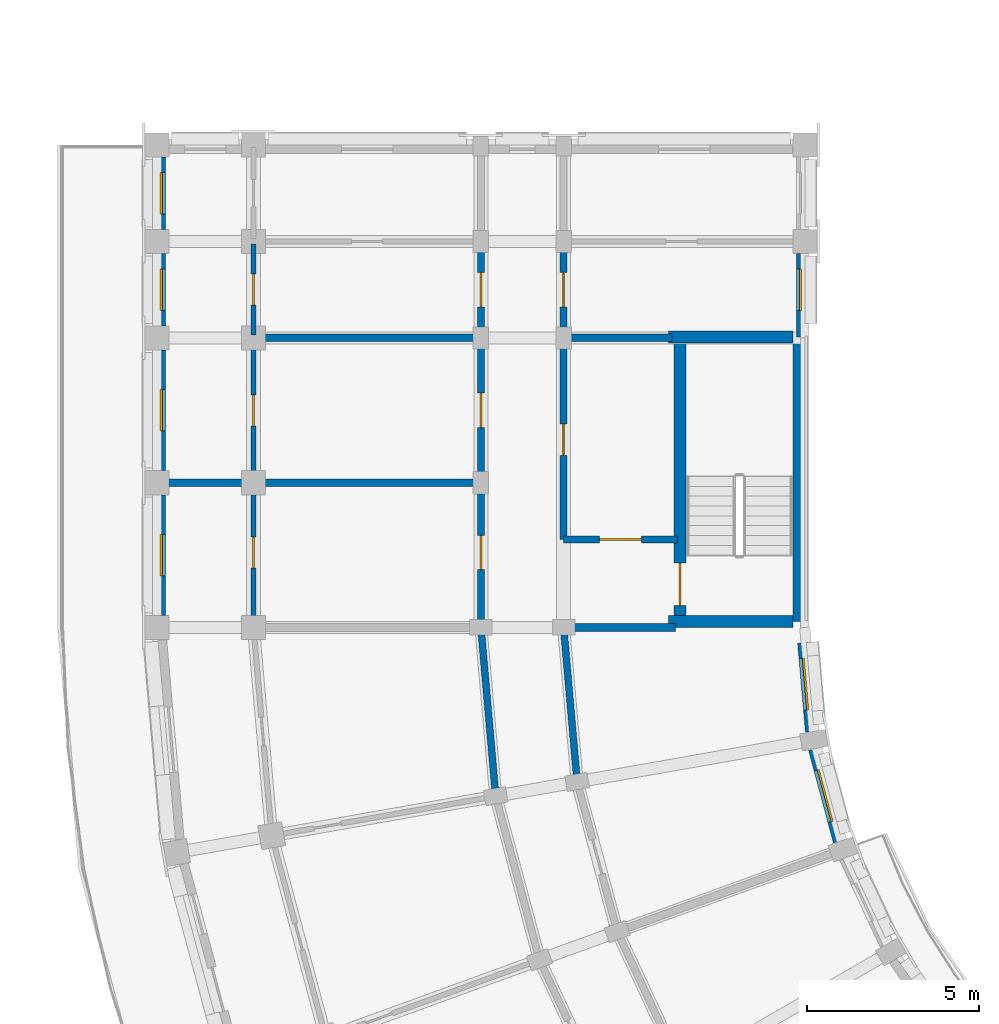
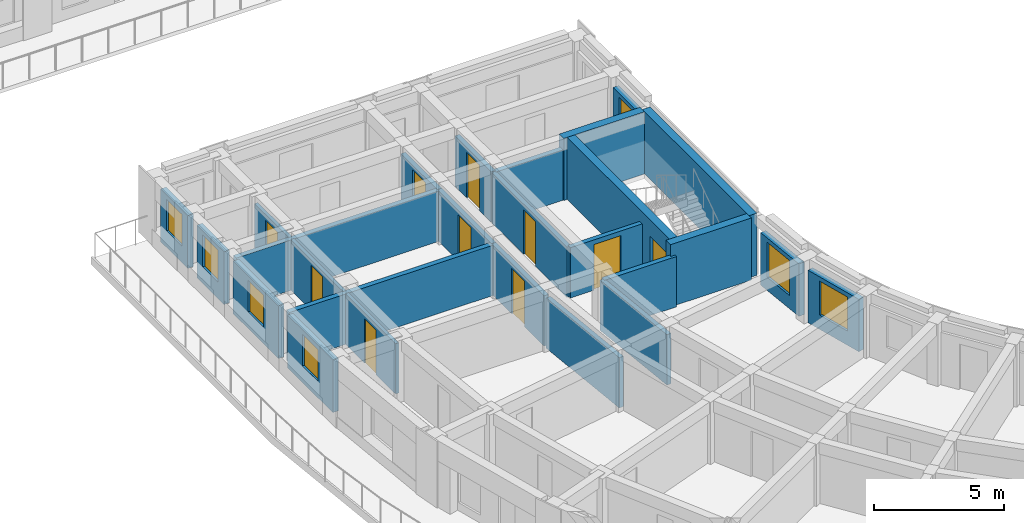
# One storey, part 20 of 54: 26 walls, 10 doors, 7 windows, 17 openings.
"""IFC4 building model written with IfcOpenShell, lengths in metres."""

from ifc_helpers import new_model, si_unit, direction, frame, frame_2d, origin, place, context, subcontext, project, spatial, rectangle, extrude, material, layer, layer_set, type_object, element, fill, save


model = new_model("IFC4")

# Units and contexts
model_context = context("Model", 3, precision=1e-05, world=origin(), true_north=direction((0.0, 1.0)))
body_context = subcontext(model_context, "Body", "Model", "MODEL_VIEW")
ifc_project = project(units=[si_unit("LENGTHUNIT", "METRE"), si_unit("AREAUNIT", "SQUARE_METRE"), si_unit("VOLUMEUNIT", "CUBIC_METRE"), si_unit("PLANEANGLEUNIT", "RADIAN"), si_unit("MASSUNIT", "GRAM", prefix="KILO")], contexts=[model_context])

# Site, building, storey
site_placement = place(None, origin())
site = spatial("IfcSite", under=ifc_project, at=site_placement, CompositionType="ELEMENT")
building_placement = place(site_placement, origin())
building = spatial("IfcBuilding", under=site, at=building_placement, Name="Kiranvali Square Residences", CompositionType="ELEMENT")
storey_placement = place(building_placement, frame((0.0, 0.0, 27.60009765625)))
storey = spatial("IfcBuildingStorey", under=building, at=storey_placement, Name="L08", CompositionType="ELEMENT", Elevation=27.60009765625)

# Wall, opening, door
ifc_material_1 = material(Name="Autoclaved aerated concrete blockwork masonry", Category="masonry")
ifc_layer_1 = layer(ifc_material_1, 0.199951171875)
ifc_layer_set_1 = layer_set([ifc_layer_1], Name="Autoclaved aerated concrete blockwork masonry")
wall_type_1 = type_object("IfcWallType", Name="WL-COR-200", PredefinedType="STANDARD", material=ifc_layer_set_1)
wall_1_placement = place(storey_placement, frame((25.699951171875, 50.75, 0.0), z_axis=(0.0, 0.0, 1.0), x_axis=(-1.0, 0.0, 0.0)))
wall_1 = element("IfcWall", 1, at=wall_1_placement, inside=storey, type_object=wall_type_1, Name="L08 architectural wall WL-L08-C-S3-V", PredefinedType="STANDARD", context=body_context, shape_type="SweptSolid", body=[
    extrude(rectangle(XDim=3.300048828125, YDim=0.199951171875, at=frame_2d((1.64990234375, 0.0))), origin(), (0.0, 0.0, 1.0), 2.371826171875),
])
opening_1_placement = place(wall_1_placement, frame((1.0400390625, 0.0, 0.0)))
opening_1 = element("IfcOpeningElement", 2, at=opening_1_placement, cuts=wall_1, Name="Opening FD-COR-60", PredefinedType="OPENING", context=body_context, shape_type="SweptSolid", body=[
    extrude(rectangle(XDim=1.219970703125, YDim=2.14990234375, at=frame_2d((0.60986328125, 1.074951171875))), frame((0.0, 0.10986328125, 0.0), z_axis=(0.0, -1.0, 0.0), x_axis=(1.0, 0.0, 0.0)), (0.0, 0.0, 1.0), 0.219970703125),
])
ifc_material_2 = material(Name="Fire-rated acoustic hardwood and mineral-core door assembly", Category="wood")
door_type_1 = type_object("IfcDoorType", Name="DR-FD60-1200", OperationType="NOTDEFINED", PredefinedType="DOOR", material=ifc_material_2)
door_1_placement = place(opening_1_placement, frame((1.219970703125, 0.0, 0.0), z_axis=(0.0, 0.0, 1.0), x_axis=(-1.0, 0.0, 0.0)))
door_1 = element("IfcDoor", 3, at=door_1_placement, inside=storey, type_object=door_type_1, Name="L08 door DR-L08-2208 (DR-FD60-1200)", OperationType="SINGLE_SWING_RIGHT", OverallHeight=2.14990234375, OverallWidth=1.219970703125, PredefinedType="DOOR", context=body_context, shape_type="SweptSolid", body=[
    extrude(rectangle(XDim=1.219970703125, YDim=2.14990234375, at=frame_2d((0.60986328125, 1.074951171875))), frame((0.0, 0.02490234375, 0.0), z_axis=(0.0, -1.0, 0.0), x_axis=(1.0, 0.0, 0.0)), (0.0, 0.0, 1.0), 0.050048828125),
])
fill(opening_1, door_1)

wall_2_placement = place(storey_placement, frame((22.39990234375, 50.75, 0.0), z_axis=(0.0, 0.0, 1.0), x_axis=(0.0, 1.0, 0.0)))
wall_2 = element("IfcWall", 4, at=wall_2_placement, inside=storey, type_object=wall_type_1, Name="L08 architectural wall WL-L08-C-S3-COR", PredefinedType="STANDARD", context=body_context, shape_type="SweptSolid", body=[
    extrude(rectangle(XDim=5.800048828125, YDim=0.199951171875, at=frame_2d((2.89990234375, 0.0))), origin(), (0.0, 0.0, 1.0), 2.371826171875),
])
opening_2_placement = place(wall_2_placement, frame((2.43994140625, 0.0, 0.0)))
opening_2 = element("IfcOpeningElement", 5, at=opening_2_placement, cuts=wall_2, Name="Opening FD-SVC-120", PredefinedType="OPENING", context=body_context, shape_type="SweptSolid", body=[
    extrude(rectangle(XDim=0.919921875, YDim=2.10009765625, at=frame_2d((0.4599609375, 1.050048828125))), frame((0.0, 0.10986328125, 0.0), z_axis=(0.0, -1.0, 0.0), x_axis=(1.0, 0.0, 0.0)), (0.0, 0.0, 1.0), 0.219970703125),
])
door_type_2 = type_object("IfcDoorType", Name="DR-SVC-900", OperationType="NOTDEFINED", PredefinedType="DOOR", material=ifc_material_2)
door_2_placement = place(opening_2_placement, origin())
door_2 = element("IfcDoor", 6, at=door_2_placement, inside=storey, type_object=door_type_2, Name="L08 door DR-L08-2209 (DR-SVC-900)", OperationType="SINGLE_SWING_LEFT", OverallHeight=2.10009765625, OverallWidth=0.919921875, PredefinedType="DOOR", context=body_context, shape_type="SweptSolid", body=[
    extrude(rectangle(XDim=0.919921875, YDim=2.10009765625, at=frame_2d((0.4599609375, 1.050048828125))), frame((0.0, 0.02490234375, 0.0), z_axis=(0.0, -1.0, 0.0), x_axis=(1.0, 0.0, 0.0)), (0.0, 0.0, 1.0), 0.050048828125),
])
fill(opening_2, door_2)

# Walls
wall_3_placement = place(storey_placement, frame((22.7919921875, 43.719970703125, 0.0), z_axis=(0.0, 0.0, 1.0), x_axis=(-0.087187153726, 0.996191949488, 0.0)))
element("IfcWall", 7, at=wall_3_placement, inside=storey, type_object=wall_type_1, Name="L08 architectural wall WL-L08-C-CCI-8", PredefinedType="STANDARD", context=body_context, shape_type="SweptSolid", body=[
    extrude(rectangle(XDim=4.4970703125, YDim=0.199951171875, at=frame_2d((2.24853515625, 0.0))), origin(), (0.0, 0.0, 1.0), 2.371826171875),
])
wall_4_placement = place(storey_placement, frame((20.428466796875, 43.30322265625, 0.0), z_axis=(0.0, 0.0, 1.0), x_axis=(-0.087167566415, 0.996193663584, 0.0)))
element("IfcWall", 8, at=wall_4_placement, inside=storey, type_object=wall_type_1, Name="L08 architectural wall WL-L08-C-CCO-8", PredefinedType="STANDARD", context=body_context, shape_type="SweptSolid", body=[
    extrude(rectangle(XDim=4.91552734375, YDim=0.199951171875, at=frame_2d((2.457763671875, 0.0))), origin(), (0.0, 0.0, 1.0), 2.371826171875),
])

# Wall, opening, door
wall_5_placement = place(storey_placement, frame((20.0, 48.35009765625, 0.0), z_axis=(0.0, 0.0, 1.0), x_axis=(0.0, 1.0, 0.0)))
wall_5 = element("IfcWall", 9, at=wall_5_placement, inside=storey, type_object=wall_type_1, Name="L08 architectural wall WL-L08-C-A2CF-C0", PredefinedType="STANDARD", context=body_context, shape_type="SweptSolid", body=[
    extrude(rectangle(XDim=4.0498046875, YDim=0.199951171875, at=frame_2d((2.02490234375, 0.0))), origin(), (0.0, 0.0, 1.0), 2.371826171875),
])
opening_3_placement = place(wall_5_placement, frame((1.52490234375, 0.0, 0.0)))
opening_3 = element("IfcOpeningElement", 10, at=opening_3_placement, cuts=wall_5, Name="Opening FD-APT-60", PredefinedType="OPENING", context=body_context, shape_type="SweptSolid", body=[
    extrude(rectangle(XDim=1.0, YDim=2.14990234375, at=frame_2d((0.5, 1.074951171875))), frame((0.0, 0.10986328125, 0.0), z_axis=(0.0, -1.0, 0.0), x_axis=(1.0, 0.0, 0.0)), (0.0, 0.0, 1.0), 0.219970703125),
])
door_type_3 = type_object("IfcDoorType", Name="DR-APT-1000", OperationType="NOTDEFINED", PredefinedType="DOOR", material=ifc_material_2)
door_3_placement = place(opening_3_placement, origin())
door_3 = element("IfcDoor", 11, at=door_3_placement, inside=storey, type_object=door_type_3, Name="L08 door DR-L08-2245 (DR-APT-1000)", OperationType="SINGLE_SWING_LEFT", OverallHeight=2.14990234375, OverallWidth=1.0, PredefinedType="DOOR", context=body_context, shape_type="SweptSolid", body=[
    extrude(rectangle(XDim=1.0, YDim=2.14990234375, at=frame_2d((0.5, 1.074951171875))), frame((0.0, 0.02490234375, 0.0), z_axis=(0.0, -1.0, 0.0), x_axis=(1.0, 0.0, 0.0)), (0.0, 0.0, 1.0), 0.050048828125),
])
fill(opening_3, door_3)

wall_6_placement = place(storey_placement, frame((20.0, 52.39990234375, 0.0), z_axis=(0.0, 0.0, 1.0), x_axis=(0.0, 1.0, 0.0)))
wall_6 = element("IfcWall", 12, at=wall_6_placement, inside=storey, type_object=wall_type_1, Name="L08 architectural wall WL-L08-C-A2CF-C1", PredefinedType="STANDARD", context=body_context, shape_type="SweptSolid", body=[
    extrude(rectangle(XDim=4.2001953125, YDim=0.199951171875, at=frame_2d((2.10009765625, 0.0))), origin(), (0.0, 0.0, 1.0), 2.371826171875),
])
opening_4_placement = place(wall_6_placement, frame((1.60009765625, 0.0, 0.0)))
opening_4 = element("IfcOpeningElement", 13, at=opening_4_placement, cuts=wall_6, Name="Opening FD-APT-60", PredefinedType="OPENING", context=body_context, shape_type="SweptSolid", body=[
    extrude(rectangle(XDim=1.0, YDim=2.14990234375, at=frame_2d((0.5, 1.074951171875))), frame((0.0, 0.10986328125, 0.0), z_axis=(0.0, -1.0, 0.0), x_axis=(1.0, 0.0, 0.0)), (0.0, 0.0, 1.0), 0.219970703125),
])
door_4_placement = place(opening_4_placement, origin())
door_4 = element("IfcDoor", 14, at=door_4_placement, inside=storey, type_object=door_type_3, Name="L08 door DR-L08-2247 (DR-APT-1000)", OperationType="SINGLE_SWING_LEFT", OverallHeight=2.14990234375, OverallWidth=1.0, PredefinedType="DOOR", context=body_context, shape_type="SweptSolid", body=[
    extrude(rectangle(XDim=1.0, YDim=2.14990234375, at=frame_2d((0.5, 1.074951171875))), frame((0.0, 0.02490234375, 0.0), z_axis=(0.0, -1.0, 0.0), x_axis=(1.0, 0.0, 0.0)), (0.0, 0.0, 1.0), 0.050048828125),
])
fill(opening_4, door_4)

wall_7_placement = place(storey_placement, frame((22.39990234375, 56.60009765625, 0.0), z_axis=(0.0, 0.0, 1.0), x_axis=(0.0, 1.0, 0.0)))
wall_7 = element("IfcWall", 15, at=wall_7_placement, inside=storey, type_object=wall_type_1, Name="L08 architectural wall WL-L08-C-A2CI-0", PredefinedType="STANDARD", context=body_context, shape_type="SweptSolid", body=[
    extrude(rectangle(XDim=2.7998046875, YDim=0.199951171875, at=frame_2d((1.39990234375, 0.0))), origin(), (0.0, 0.0, 1.0), 2.371826171875),
])
opening_5_placement = place(wall_7_placement, frame((0.89990234375, 0.0, 0.0)))
opening_5 = element("IfcOpeningElement", 16, at=opening_5_placement, cuts=wall_7, Name="Opening FD-APT-60", PredefinedType="OPENING", context=body_context, shape_type="SweptSolid", body=[
    extrude(rectangle(XDim=1.0, YDim=2.14990234375, at=frame_2d((0.5, 1.074951171875))), frame((0.0, 0.10986328125, 0.0), z_axis=(0.0, -1.0, 0.0), x_axis=(1.0, 0.0, 0.0)), (0.0, 0.0, 1.0), 0.219970703125),
])
door_5_placement = place(opening_5_placement, origin())
door_5 = element("IfcDoor", 17, at=door_5_placement, inside=storey, type_object=door_type_3, Name="L08 door DR-L08-2249 (DR-APT-1000)", OperationType="SINGLE_SWING_LEFT", OverallHeight=2.14990234375, OverallWidth=1.0, PredefinedType="DOOR", context=body_context, shape_type="SweptSolid", body=[
    extrude(rectangle(XDim=1.0, YDim=2.14990234375, at=frame_2d((0.5, 1.074951171875))), frame((0.0, 0.02490234375, 0.0), z_axis=(0.0, -1.0, 0.0), x_axis=(1.0, 0.0, 0.0)), (0.0, 0.0, 1.0), 0.050048828125),
])
fill(opening_5, door_5)

wall_8_placement = place(storey_placement, frame((20.0, 56.60009765625, 0.0), z_axis=(0.0, 0.0, 1.0), x_axis=(0.0, 1.0, 0.0)))
wall_8 = element("IfcWall", 18, at=wall_8_placement, inside=storey, type_object=wall_type_1, Name="L08 architectural wall WL-L08-C-A2CO-0", PredefinedType="STANDARD", context=body_context, shape_type="SweptSolid", body=[
    extrude(rectangle(XDim=2.7998046875, YDim=0.199951171875, at=frame_2d((1.39990234375, 0.0))), origin(), (0.0, 0.0, 1.0), 2.371826171875),
])
opening_6_placement = place(wall_8_placement, frame((0.89990234375, 0.0, 0.0)))
opening_6 = element("IfcOpeningElement", 19, at=opening_6_placement, cuts=wall_8, Name="Opening FD-APT-60", PredefinedType="OPENING", context=body_context, shape_type="SweptSolid", body=[
    extrude(rectangle(XDim=1.0, YDim=2.14990234375, at=frame_2d((0.5, 1.074951171875))), frame((0.0, 0.10986328125, 0.0), z_axis=(0.0, -1.0, 0.0), x_axis=(1.0, 0.0, 0.0)), (0.0, 0.0, 1.0), 0.219970703125),
])
door_6_placement = place(opening_6_placement, origin())
door_6 = element("IfcDoor", 20, at=door_6_placement, inside=storey, type_object=door_type_3, Name="L08 door DR-L08-2251 (DR-APT-1000)", OperationType="SINGLE_SWING_LEFT", OverallHeight=2.14990234375, OverallWidth=1.0, PredefinedType="DOOR", context=body_context, shape_type="SweptSolid", body=[
    extrude(rectangle(XDim=1.0, YDim=2.14990234375, at=frame_2d((0.5, 1.074951171875))), frame((0.0, 0.02490234375, 0.0), z_axis=(0.0, -1.0, 0.0), x_axis=(1.0, 0.0, 0.0)), (0.0, 0.0, 1.0), 0.050048828125),
])
fill(opening_6, door_6)

# Walls
ifc_layer_2 = layer(ifc_material_1, 0.219970703125)
ifc_layer_set_2 = layer_set([ifc_layer_2], Name="Autoclaved aerated concrete blockwork masonry")
wall_type_2 = type_object("IfcWallType", Name="WL-DEM-220", PredefinedType="STANDARD", material=ifc_layer_set_2)
wall_9_placement = place(storey_placement, frame((25.64990234375, 48.199951171875, 0.0), z_axis=(0.0, 0.0, 1.0), x_axis=(-1.0, 0.0, 0.0)))
element("IfcWall", 21, at=wall_9_placement, inside=storey, type_object=wall_type_2, Name="L08 architectural wall WL-L08-C-RADI-9", PredefinedType="STANDARD", context=body_context, shape_type="SweptSolid", body=[
    extrude(rectangle(XDim=3.199951171875, YDim=0.219970703125, at=frame_2d((1.60009765625, 0.0))), origin(), (0.0, 0.0, 1.0), 2.371826171875),
])
wall_10_placement = place(storey_placement, frame((19.949951171875, 52.39990234375, 0.0), z_axis=(0.0, 0.0, 1.0), x_axis=(-1.0, 0.0, 0.0)))
element("IfcWall", 22, at=wall_10_placement, inside=storey, type_object=wall_type_2, Name="L08 architectural wall WL-L08-C-A2CF-MID", PredefinedType="STANDARD", context=body_context, shape_type="SweptSolid", body=[
    extrude(rectangle(XDim=9.1298828125, YDim=0.219970703125, at=frame_2d((4.56494140625, 0.0))), origin(), (0.0, 0.0, 1.0), 2.371826171875),
])
wall_11_placement = place(storey_placement, frame((25.550048828125, 56.60009765625, 0.0), z_axis=(0.0, 0.0, 1.0), x_axis=(-1.0, 0.0, 0.0)))
element("IfcWall", 23, at=wall_11_placement, inside=storey, type_object=wall_type_2, Name="L08 architectural wall WL-L08-C-A2TI-0", PredefinedType="STANDARD", context=body_context, shape_type="SweptSolid", body=[
    extrude(rectangle(XDim=3.10009765625, YDim=0.219970703125, at=frame_2d((1.550048828125, 0.0))), origin(), (0.0, 0.0, 1.0), 2.371826171875),
])
wall_12_placement = place(storey_placement, frame((19.89990234375, 56.60009765625, 0.0), z_axis=(0.0, 0.0, 1.0), x_axis=(-1.0, 0.0, 0.0)))
element("IfcWall", 24, at=wall_12_placement, inside=storey, type_object=wall_type_2, Name="L08 architectural wall WL-L08-C-A2TO-0", PredefinedType="STANDARD", context=body_context, shape_type="SweptSolid", body=[
    extrude(rectangle(XDim=9.02001953125, YDim=0.219970703125, at=frame_2d((4.510009765625, 0.0))), origin(), (0.0, 0.0, 1.0), 2.371826171875),
])

# Wall, opening, window
ifc_material_3 = material(Name="Breathable lime-rendered clay brick masonry", Category="masonry")
ifc_layer_3 = layer(ifc_material_3, 0.25)
ifc_layer_set_3 = layer_set([ifc_layer_3], Name="Breathable lime-rendered clay brick masonry")
wall_type_3 = type_object("IfcWallType", Name="WL-EXT-250", PredefinedType="STANDARD", material=ifc_layer_set_3)
wall_13_placement = place(storey_placement, frame((30.347412109375, 41.982666015625, 0.0), z_axis=(0.0, 0.0, 1.0), x_axis=(-0.25878161084, 0.965935855992, 0.0)))
wall_13 = element("IfcWall", 25, at=wall_13_placement, inside=storey, type_object=wall_type_3, Name="L08 exterior wall C-L08-GDN-07", PredefinedType="STANDARD", context=body_context, shape_type="SweptSolid", body=[
    extrude(rectangle(XDim=2.769775390625, YDim=0.25, at=frame_2d((1.384765625, 0.0))), origin(), (0.0, 0.0, 1.0), 2.471923828125),
])
opening_7_placement = place(wall_13_placement, frame((0.60986328125, 0.0, 0.672119140625)))
opening_7 = element("IfcOpeningElement", 26, at=opening_7_placement, cuts=wall_13, Name="Opening W-18", PredefinedType="OPENING", context=body_context, shape_type="SweptSolid", body=[
    extrude(rectangle(XDim=1.550048828125, YDim=1.60009765625, at=frame_2d((0.77490234375, 0.800048828125))), frame((0.0, 0.135009765625, 0.0), z_axis=(0.0, -1.0, 0.0), x_axis=(1.0, 0.0, 0.0)), (0.0, 0.0, 1.0), 0.27001953125),
])
ifc_material_4 = material(Name="Solar-control low-e double glazing", Category="glass")
window_type_1 = type_object("IfcWindowType", Name="WIN-GDN-1550x1600", PartitioningType="DOUBLE_PANEL_VERTICAL", PredefinedType="WINDOW", material=ifc_material_4)
window_1_placement = place(opening_7_placement, origin())
window_1 = element("IfcWindow", 27, at=window_1_placement, inside=storey, type_object=window_type_1, Name="L08 recessed window C-L08-GDN-07", OverallHeight=1.60009765625, OverallWidth=1.550048828125, PartitioningType="DOUBLE_PANEL_VERTICAL", PredefinedType="WINDOW", context=body_context, shape_type="SweptSolid", body=[
    extrude(rectangle(XDim=1.550048828125, YDim=1.60009765625, at=frame_2d((0.77490234375, 0.800048828125))), frame((0.0, 0.030029296875, 0.0), z_axis=(0.0, -1.0, 0.0), x_axis=(1.0, 0.0, 0.0)), (0.0, 0.0, 1.0), 0.06005859375),
])
fill(opening_7, window_1)

wall_14_placement = place(storey_placement, frame((29.5390625, 45.17724609375, 0.0), z_axis=(0.0, 0.0, 1.0), x_axis=(-0.087229084652, 0.996188278786, 0.0)))
wall_14 = element("IfcWall", 28, at=wall_14_placement, inside=storey, type_object=wall_type_3, Name="L08 exterior wall C-L08-GDN-08", PredefinedType="STANDARD", context=body_context, shape_type="SweptSolid", body=[
    extrude(rectangle(XDim=2.583251953125, YDim=0.25, at=frame_2d((1.29150390625, 0.0))), origin(), (0.0, 0.0, 1.0), 2.471923828125),
])
opening_8_placement = place(wall_14_placement, frame((0.635009765625, 0.0, 0.6220703125)))
opening_8 = element("IfcOpeningElement", 29, at=opening_8_placement, cuts=wall_14, Name="Opening W-05", PredefinedType="OPENING", context=body_context, shape_type="SweptSolid", body=[
    extrude(rectangle(XDim=1.5, YDim=1.64990234375, at=frame_2d((0.75, 0.824951171875))), frame((0.0, 0.135009765625, 0.0), z_axis=(0.0, -1.0, 0.0), x_axis=(1.0, 0.0, 0.0)), (0.0, 0.0, 1.0), 0.27001953125),
])
window_type_2 = type_object("IfcWindowType", Name="WIN-RES-1500x1650", PartitioningType="DOUBLE_PANEL_VERTICAL", PredefinedType="WINDOW", material=ifc_material_4)
window_2_placement = place(opening_8_placement, origin())
window_2 = element("IfcWindow", 30, at=window_2_placement, inside=storey, type_object=window_type_2, Name="L08 recessed window C-L08-GDN-08", OverallHeight=1.64990234375, OverallWidth=1.5, PartitioningType="DOUBLE_PANEL_VERTICAL", PredefinedType="WINDOW", context=body_context, shape_type="SweptSolid", body=[
    extrude(rectangle(XDim=1.5, YDim=1.64990234375, at=frame_2d((0.75, 0.824951171875))), frame((0.0, 0.030029296875, 0.0), z_axis=(0.0, -1.0, 0.0), x_axis=(1.0, 0.0, 0.0)), (0.0, 0.0, 1.0), 0.06005859375),
])
fill(opening_8, window_2)

wall_15_placement = place(storey_placement, frame((10.72509765625, 48.553466796875, 0.0), z_axis=(0.0, 0.0, 1.0), x_axis=(0.0, 1.0, 0.0)))
wall_15 = element("IfcWall", 31, at=wall_15_placement, inside=storey, type_object=wall_type_3, Name="L08 exterior wall C-L08-A2O-0", PredefinedType="STANDARD", context=body_context, shape_type="SweptSolid", body=[
    extrude(rectangle(XDim=3.492919921875, YDim=0.25, at=frame_2d((1.74658203125, 0.0))), origin(), (0.0, 0.0, 1.0), 2.47998046875),
])
opening_9_placement = place(wall_15_placement, frame((1.146484375, 0.0, 0.780029296875)))
opening_9 = element("IfcOpeningElement", 32, at=opening_9_placement, cuts=wall_15, Name="Opening W-06", PredefinedType="OPENING", context=body_context, shape_type="SweptSolid", body=[
    extrude(rectangle(XDim=1.199951171875, YDim=1.5, at=frame_2d((0.60009765625, 0.75))), frame((0.0, 0.135009765625, 0.0), z_axis=(0.0, -1.0, 0.0), x_axis=(1.0, 0.0, 0.0)), (0.0, 0.0, 1.0), 0.27001953125),
])
window_type_3 = type_object("IfcWindowType", Name="WIN-RES-1200x1500", PartitioningType="SINGLE_PANEL", PredefinedType="WINDOW", material=ifc_material_4)
window_3_placement = place(opening_9_placement, origin())
window_3 = element("IfcWindow", 33, at=window_3_placement, inside=storey, type_object=window_type_3, Name="L08 recessed window C-L08-A2O-0", OverallHeight=1.5, OverallWidth=1.199951171875, PartitioningType="SINGLE_PANEL", PredefinedType="WINDOW", context=body_context, shape_type="SweptSolid", body=[
    extrude(rectangle(XDim=1.199951171875, YDim=1.5, at=frame_2d((0.60009765625, 0.75))), frame((0.0, 0.030029296875, 0.0), z_axis=(0.0, -1.0, 0.0), x_axis=(1.0, 0.0, 0.0)), (0.0, 0.0, 1.0), 0.06005859375),
])
fill(opening_9, window_3)

wall_16_placement = place(storey_placement, frame((10.72509765625, 52.75341796875, 0.0), z_axis=(0.0, 0.0, 1.0), x_axis=(0.0, 1.0, 0.0)))
wall_16 = element("IfcWall", 34, at=wall_16_placement, inside=storey, type_object=wall_type_3, Name="L08 exterior wall C-L08-A2O-1", PredefinedType="STANDARD", context=body_context, shape_type="SweptSolid", body=[
    extrude(rectangle(XDim=3.4931640625, YDim=0.25, at=frame_2d((1.74658203125, 0.0))), origin(), (0.0, 0.0, 1.0), 2.47998046875),
])
opening_10_placement = place(wall_16_placement, frame((1.146484375, 0.0, 0.780029296875)))
opening_10 = element("IfcOpeningElement", 35, at=opening_10_placement, cuts=wall_16, Name="Opening W-06", PredefinedType="OPENING", context=body_context, shape_type="SweptSolid", body=[
    extrude(rectangle(XDim=1.199951171875, YDim=1.5, at=frame_2d((0.60009765625, 0.75))), frame((0.0, 0.135009765625, 0.0), z_axis=(0.0, -1.0, 0.0), x_axis=(1.0, 0.0, 0.0)), (0.0, 0.0, 1.0), 0.27001953125),
])
window_4_placement = place(opening_10_placement, origin())
window_4 = element("IfcWindow", 36, at=window_4_placement, inside=storey, type_object=window_type_3, Name="L08 recessed window C-L08-A2O-1", OverallHeight=1.5, OverallWidth=1.199951171875, PartitioningType="SINGLE_PANEL", PredefinedType="WINDOW", context=body_context, shape_type="SweptSolid", body=[
    extrude(rectangle(XDim=1.199951171875, YDim=1.5, at=frame_2d((0.60009765625, 0.75))), frame((0.0, 0.030029296875, 0.0), z_axis=(0.0, -1.0, 0.0), x_axis=(1.0, 0.0, 0.0)), (0.0, 0.0, 1.0), 0.06005859375),
])
fill(opening_10, window_4)

wall_17_placement = place(storey_placement, frame((10.72509765625, 56.95361328125, 0.0), z_axis=(0.0, 0.0, 1.0), x_axis=(0.0, 1.0, 0.0)))
wall_17 = element("IfcWall", 37, at=wall_17_placement, inside=storey, type_object=wall_type_3, Name="L08 exterior wall C-L08-A2O-2", PredefinedType="STANDARD", context=body_context, shape_type="SweptSolid", body=[
    extrude(rectangle(XDim=2.0927734375, YDim=0.25, at=frame_2d((1.04638671875, 0.0))), origin(), (0.0, 0.0, 1.0), 2.47998046875),
])
opening_11_placement = place(wall_17_placement, frame((0.446533203125, 0.0, 0.780029296875)))
opening_11 = element("IfcOpeningElement", 38, at=opening_11_placement, cuts=wall_17, Name="Opening W-06", PredefinedType="OPENING", context=body_context, shape_type="SweptSolid", body=[
    extrude(rectangle(XDim=1.199951171875, YDim=1.5, at=frame_2d((0.60009765625, 0.75))), frame((0.0, 0.135009765625, 0.0), z_axis=(0.0, -1.0, 0.0), x_axis=(1.0, 0.0, 0.0)), (0.0, 0.0, 1.0), 0.27001953125),
])
window_5_placement = place(opening_11_placement, origin())
window_5 = element("IfcWindow", 39, at=window_5_placement, inside=storey, type_object=window_type_3, Name="L08 recessed window C-L08-A2O-2", OverallHeight=1.5, OverallWidth=1.199951171875, PartitioningType="SINGLE_PANEL", PredefinedType="WINDOW", context=body_context, shape_type="SweptSolid", body=[
    extrude(rectangle(XDim=1.199951171875, YDim=1.5, at=frame_2d((0.60009765625, 0.75))), frame((0.0, 0.030029296875, 0.0), z_axis=(0.0, -1.0, 0.0), x_axis=(1.0, 0.0, 0.0)), (0.0, 0.0, 1.0), 0.06005859375),
])
fill(opening_11, window_5)

wall_18_placement = place(storey_placement, frame((10.72509765625, 59.75341796875, 0.0), z_axis=(0.0, 0.0, 1.0), x_axis=(0.0, 1.0, 0.0)))
wall_18 = element("IfcWall", 40, at=wall_18_placement, inside=storey, type_object=wall_type_3, Name="L08 exterior wall C-L08-A2O-3", PredefinedType="STANDARD", context=body_context, shape_type="SweptSolid", body=[
    extrude(rectangle(XDim=2.093017578125, YDim=0.25, at=frame_2d((1.04638671875, 0.0))), origin(), (0.0, 0.0, 1.0), 2.47998046875),
])
opening_12_placement = place(wall_18_placement, frame((0.446533203125, 0.0, 0.780029296875)))
opening_12 = element("IfcOpeningElement", 41, at=opening_12_placement, cuts=wall_18, Name="Opening W-06", PredefinedType="OPENING", context=body_context, shape_type="SweptSolid", body=[
    extrude(rectangle(XDim=1.199951171875, YDim=1.5, at=frame_2d((0.60009765625, 0.75))), frame((0.0, 0.135009765625, 0.0), z_axis=(0.0, -1.0, 0.0), x_axis=(1.0, 0.0, 0.0)), (0.0, 0.0, 1.0), 0.27001953125),
])
window_6_placement = place(opening_12_placement, origin())
window_6 = element("IfcWindow", 42, at=window_6_placement, inside=storey, type_object=window_type_3, Name="L08 recessed window C-L08-A2O-3", OverallHeight=1.5, OverallWidth=1.199951171875, PartitioningType="SINGLE_PANEL", PredefinedType="WINDOW", context=body_context, shape_type="SweptSolid", body=[
    extrude(rectangle(XDim=1.199951171875, YDim=1.5, at=frame_2d((0.60009765625, 0.75))), frame((0.0, 0.030029296875, 0.0), z_axis=(0.0, -1.0, 0.0), x_axis=(1.0, 0.0, 0.0)), (0.0, 0.0, 1.0), 0.06005859375),
])
fill(opening_12, window_6)

wall_19_placement = place(storey_placement, frame((29.27490234375, 56.62841796875, 0.0), z_axis=(0.0, 0.0, 1.0), x_axis=(0.0, 1.0, 0.0)))
wall_19 = element("IfcWall", 43, at=wall_19_placement, inside=storey, type_object=wall_type_3, Name="L08 exterior wall C-L08-A2I-0", PredefinedType="STANDARD", context=body_context, shape_type="SweptSolid", body=[
    extrude(rectangle(XDim=2.41796875, YDim=0.25, at=frame_2d((1.208984375, 0.0))), origin(), (0.0, 0.0, 1.0), 2.471923828125),
])
opening_13_placement = place(wall_19_placement, frame((0.771484375, 0.0, 0.77197265625)))
opening_13 = element("IfcOpeningElement", 44, at=opening_13_placement, cuts=wall_19, Name="Opening W-06", PredefinedType="OPENING", context=body_context, shape_type="SweptSolid", body=[
    extrude(rectangle(XDim=1.199951171875, YDim=1.5, at=frame_2d((0.60009765625, 0.75))), frame((0.0, 0.135009765625, 0.0), z_axis=(0.0, -1.0, 0.0), x_axis=(1.0, 0.0, 0.0)), (0.0, 0.0, 1.0), 0.27001953125),
])
window_7_placement = place(opening_13_placement, origin())
window_7 = element("IfcWindow", 45, at=window_7_placement, inside=storey, type_object=window_type_3, Name="L08 recessed window C-L08-A2I-0", OverallHeight=1.5, OverallWidth=1.199951171875, PartitioningType="SINGLE_PANEL", PredefinedType="WINDOW", context=body_context, shape_type="SweptSolid", body=[
    extrude(rectangle(XDim=1.199951171875, YDim=1.5, at=frame_2d((0.60009765625, 0.75))), frame((0.0, 0.030029296875, 0.0), z_axis=(0.0, -1.0, 0.0), x_axis=(1.0, 0.0, 0.0)), (0.0, 0.0, 1.0), 0.06005859375),
])
fill(opening_13, window_7)

# Wall, opening, door
ifc_material_5 = material(Name="Acoustic gypsum board drylined partition", Category="gypsum")
ifc_layer_4 = layer(ifc_material_5, 0.14990234375)
ifc_layer_set_4 = layer_set([ifc_layer_4], Name="Acoustic gypsum board drylined partition")
wall_type_4 = type_object("IfcWallType", Name="WL-PRT-150", PredefinedType="PARTITIONING", material=ifc_layer_set_4)
wall_20_placement = place(storey_placement, frame((13.39990234375, 48.429931640625, 0.0), z_axis=(0.0, 0.0, 1.0), x_axis=(0.0, 1.0, 0.0)))
wall_20 = element("IfcWall", 46, at=wall_20_placement, inside=storey, type_object=wall_type_4, Name="L08 architectural wall WL-L08-C-A2CF-SP0", PredefinedType="PARTITIONING", context=body_context, shape_type="SweptSolid", body=[
    extrude(rectangle(XDim=3.89013671875, YDim=0.14990234375, at=frame_2d((1.945068359375, 0.0))), origin(), (0.0, 0.0, 1.0), 2.371826171875),
])
opening_14_placement = place(wall_20_placement, frame((1.4951171875, 0.0, 0.0)))
opening_14 = element("IfcOpeningElement", 47, at=opening_14_placement, cuts=wall_20, Name="Opening ID-1", PredefinedType="OPENING", context=body_context, shape_type="SweptSolid", body=[
    extrude(rectangle(XDim=0.89990234375, YDim=2.10009765625, at=frame_2d((0.449951171875, 1.050048828125))), frame((0.0, 0.0849609375, 0.0), z_axis=(0.0, -1.0, 0.0), x_axis=(1.0, 0.0, 0.0)), (0.0, 0.0, 1.0), 0.169921875),
])
ifc_material_6 = material(Name="Solid seasoned teak hardwood joinery", Category="wood")
door_type_4 = type_object("IfcDoorType", Name="DR-INT-900", OperationType="NOTDEFINED", PredefinedType="DOOR", material=ifc_material_6)
door_7_placement = place(opening_14_placement, frame((0.89990234375, 0.0, 0.0), z_axis=(0.0, 0.0, 1.0), x_axis=(-1.0, 0.0, 0.0)))
door_7 = element("IfcDoor", 48, at=door_7_placement, inside=storey, type_object=door_type_4, Name="L08 door DR-L08-2246 (DR-INT-900)", OperationType="SINGLE_SWING_RIGHT", OverallHeight=2.10009765625, OverallWidth=0.89990234375, PredefinedType="DOOR", context=body_context, shape_type="SweptSolid", body=[
    extrude(rectangle(XDim=0.89990234375, YDim=2.10009765625, at=frame_2d((0.449951171875, 1.050048828125))), frame((0.0, 0.02490234375, 0.0), z_axis=(0.0, -1.0, 0.0), x_axis=(1.0, 0.0, 0.0)), (0.0, 0.0, 1.0), 0.050048828125),
])
fill(opening_14, door_7)

wall_21_placement = place(storey_placement, frame((13.39990234375, 52.47998046875, 0.0), z_axis=(0.0, 0.0, 1.0), x_axis=(0.0, 1.0, 0.0)))
wall_21 = element("IfcWall", 49, at=wall_21_placement, inside=storey, type_object=wall_type_4, Name="L08 architectural wall WL-L08-C-A2CF-SP1", PredefinedType="PARTITIONING", context=body_context, shape_type="SweptSolid", body=[
    extrude(rectangle(XDim=4.0400390625, YDim=0.14990234375, at=frame_2d((2.02001953125, 0.0))), origin(), (0.0, 0.0, 1.0), 2.371826171875),
])
opening_15_placement = place(wall_21_placement, frame((1.570068359375, 0.0, 0.0)))
opening_15 = element("IfcOpeningElement", 50, at=opening_15_placement, cuts=wall_21, Name="Opening ID-1", PredefinedType="OPENING", context=body_context, shape_type="SweptSolid", body=[
    extrude(rectangle(XDim=0.89990234375, YDim=2.10009765625, at=frame_2d((0.449951171875, 1.050048828125))), frame((0.0, 0.0849609375, 0.0), z_axis=(0.0, -1.0, 0.0), x_axis=(1.0, 0.0, 0.0)), (0.0, 0.0, 1.0), 0.169921875),
])
door_8_placement = place(opening_15_placement, frame((0.89990234375, 0.0, 0.0), z_axis=(0.0, 0.0, 1.0), x_axis=(-1.0, 0.0, 0.0)))
door_8 = element("IfcDoor", 51, at=door_8_placement, inside=storey, type_object=door_type_4, Name="L08 door DR-L08-2248 (DR-INT-900)", OperationType="SINGLE_SWING_RIGHT", OverallHeight=2.10009765625, OverallWidth=0.89990234375, PredefinedType="DOOR", context=body_context, shape_type="SweptSolid", body=[
    extrude(rectangle(XDim=0.89990234375, YDim=2.10009765625, at=frame_2d((0.449951171875, 1.050048828125))), frame((0.0, 0.02490234375, 0.0), z_axis=(0.0, -1.0, 0.0), x_axis=(1.0, 0.0, 0.0)), (0.0, 0.0, 1.0), 0.050048828125),
])
fill(opening_15, door_8)

# Wall
ifc_material_7 = material(Name="Concrete M45 (45 MPa)", Category="concrete")
ifc_layer_5 = layer(ifc_material_7, 0.320068359375)
ifc_layer_set_5 = layer_set([ifc_layer_5], Name="Concrete M45 (45 MPa)")
wall_type_5 = type_object("IfcWallType", Name="WL-SHR-320", PredefinedType="SHEAR", material=ifc_layer_set_5)
wall_22_placement = place(storey_placement, frame((29.22509765625, 48.375, 0.0), z_axis=(0.0, 0.0, 1.0), x_axis=(0.0, 1.0, 0.0)))
element("IfcWall", 52, at=wall_22_placement, inside=storey, type_object=wall_type_5, Name="Block C core shear wall SW-C3-OUT-L08", PredefinedType="SHEAR", context=body_context, shape_type="SweptSolid", body=[
    extrude(rectangle(XDim=8.25, YDim=0.35009765625, at=frame_2d((4.125, 0.0))), origin(), (0.0, 0.0, 1.0), 2.929931640625),
])

# Wall, opening, door
wall_23_placement = place(storey_placement, frame((25.77490234375, 48.550048828125, 0.0), z_axis=(0.0, 0.0, 1.0), x_axis=(0.0, 1.0, 0.0)))
wall_23 = element("IfcWall", 53, at=wall_23_placement, inside=storey, type_object=wall_type_5, Name="Block C core shear wall SW-C3-IN-L08", PredefinedType="SHEAR", context=body_context, shape_type="SweptSolid", body=[
    extrude(rectangle(XDim=7.89990234375, YDim=0.35009765625, at=frame_2d((3.949951171875, 0.0))), origin(), (0.0, 0.0, 1.0), 2.929931640625),
])
opening_16_placement = place(wall_23_placement, frame((0.280029296875, 0.0, 0.0)))
opening_16 = element("IfcOpeningElement", 54, at=opening_16_placement, cuts=wall_23, Name="Opening FD-ST-120", PredefinedType="OPENING", context=body_context, shape_type="SweptSolid", body=[
    extrude(rectangle(XDim=1.239990234375, YDim=2.14990234375, at=frame_2d((0.6201171875, 1.074951171875))), frame((0.0, 0.18505859375, 0.0), z_axis=(0.0, -1.0, 0.0), x_axis=(1.0, 0.0, 0.0)), (0.0, 0.0, 1.0), 0.3701171875),
])
door_type_5 = type_object("IfcDoorType", Name="DR-FD120-1200", OperationType="NOTDEFINED", PredefinedType="DOOR", material=ifc_material_2)
door_9_placement = place(opening_16_placement, frame((1.239990234375, 0.0, 0.0), z_axis=(0.0, 0.0, 1.0), x_axis=(-1.0, 0.0, 0.0)))
door_9 = element("IfcDoor", 55, at=door_9_placement, inside=storey, type_object=door_type_5, Name="L08 door DR-L08-2204 (DR-FD120-1200)", OperationType="SINGLE_SWING_RIGHT", OverallHeight=2.14990234375, OverallWidth=1.239990234375, PredefinedType="DOOR", context=body_context, shape_type="SweptSolid", body=[
    extrude(rectangle(XDim=1.239990234375, YDim=2.14990234375, at=frame_2d((0.6201171875, 1.074951171875))), frame((0.0, 0.02490234375, 0.0), z_axis=(0.0, -1.0, 0.0), x_axis=(1.0, 0.0, 0.0)), (0.0, 0.0, 1.0), 0.050048828125),
])
fill(opening_16, door_9)

# Walls
for number, where, z_axis, x_axis, name in (
    (56, (29.050048828125, 48.375, 0.0), (0.0, 0.0, 1.0), (-1.0, 0.0, 0.0), "Block C core shear wall SW-C3-NEAR-L08"),
    (57, (29.050048828125, 56.625, 0.0), (0.0, 0.0, 1.0), (-1.0, 0.0, 0.0), "Block C core shear wall SW-C3-FAR-L08"),
):
    element("IfcWall", number, at=place(storey_placement, frame(where, z_axis=z_axis, x_axis=x_axis)), inside=storey, type_object=wall_type_5, Name=name, PredefinedType="SHEAR", context=body_context, shape_type="SweptSolid", body=[
        extrude(rectangle(XDim=3.60009765625, YDim=0.35009765625, at=frame_2d((1.800048828125, 0.0))), origin(), (0.0, 0.0, 1.0), 2.929931640625),
    ])

# Wall, opening, door
ifc_layer_6 = layer(ifc_material_1, 0.14990234375)
ifc_layer_set_6 = layer_set([ifc_layer_6], Name="Autoclaved aerated concrete blockwork masonry")
wall_type_6 = type_object("IfcWallType", Name="WL-WET-150", PredefinedType="PLUMBINGWALL", material=ifc_layer_set_6)
wall_24_placement = place(storey_placement, frame((13.39990234375, 56.679931640625, 0.0), z_axis=(0.0, 0.0, 1.0), x_axis=(0.0, 1.0, 0.0)))
wall_24 = element("IfcWall", 58, at=wall_24_placement, inside=storey, type_object=wall_type_6, Name="L08 architectural wall WL-L08-C-A2SP-0", PredefinedType="PLUMBINGWALL", context=body_context, shape_type="SweptSolid", body=[
    extrude(rectangle(XDim=2.64013671875, YDim=0.14990234375, at=frame_2d((1.320068359375, 0.0))), origin(), (0.0, 0.0, 1.0), 2.371826171875),
])
opening_17_placement = place(wall_24_placement, frame((0.8701171875, 0.0, 0.0)))
opening_17 = element("IfcOpeningElement", 59, at=opening_17_placement, cuts=wall_24, Name="Opening ID-1", PredefinedType="OPENING", context=body_context, shape_type="SweptSolid", body=[
    extrude(rectangle(XDim=0.89990234375, YDim=2.10009765625, at=frame_2d((0.449951171875, 1.050048828125))), frame((0.0, 0.0849609375, 0.0), z_axis=(0.0, -1.0, 0.0), x_axis=(1.0, 0.0, 0.0)), (0.0, 0.0, 1.0), 0.169921875),
])
door_10_placement = place(opening_17_placement, frame((0.89990234375, 0.0, 0.0), z_axis=(0.0, 0.0, 1.0), x_axis=(-1.0, 0.0, 0.0)))
door_10 = element("IfcDoor", 60, at=door_10_placement, inside=storey, type_object=door_type_4, Name="L08 door DR-L08-2250 (DR-INT-900)", OperationType="SINGLE_SWING_RIGHT", OverallHeight=2.10009765625, OverallWidth=0.89990234375, PredefinedType="DOOR", context=body_context, shape_type="SweptSolid", body=[
    extrude(rectangle(XDim=0.89990234375, YDim=2.10009765625, at=frame_2d((0.449951171875, 1.050048828125))), frame((0.0, 0.02490234375, 0.0), z_axis=(0.0, -1.0, 0.0), x_axis=(1.0, 0.0, 0.0)), (0.0, 0.0, 1.0), 0.050048828125),
])
fill(opening_17, door_10)

save(model, "model.ifc")
